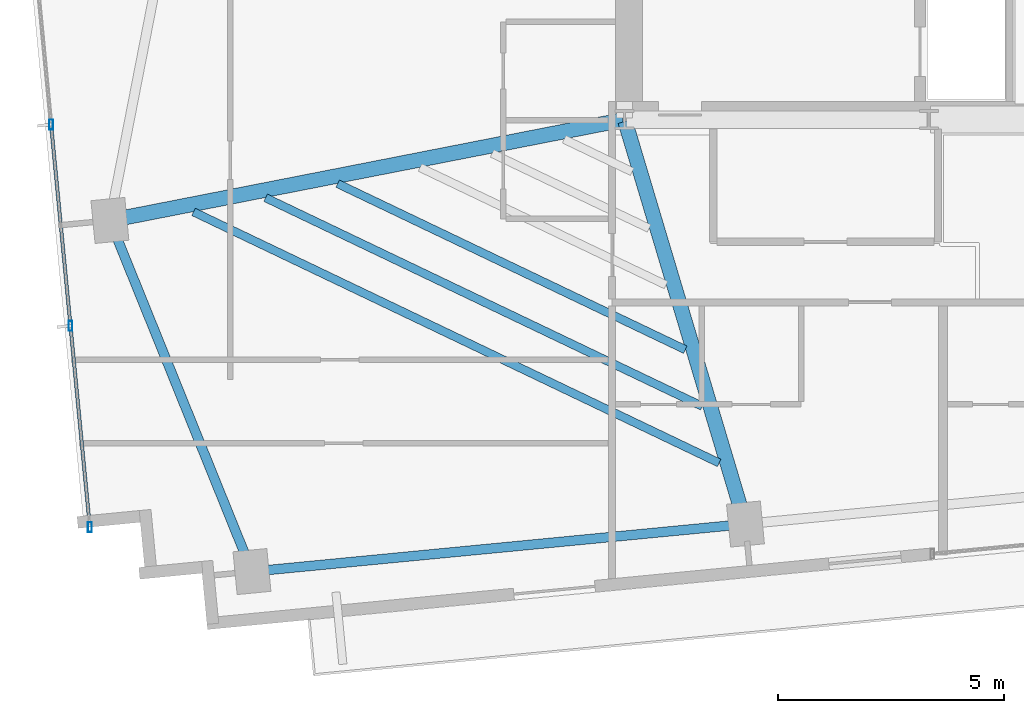
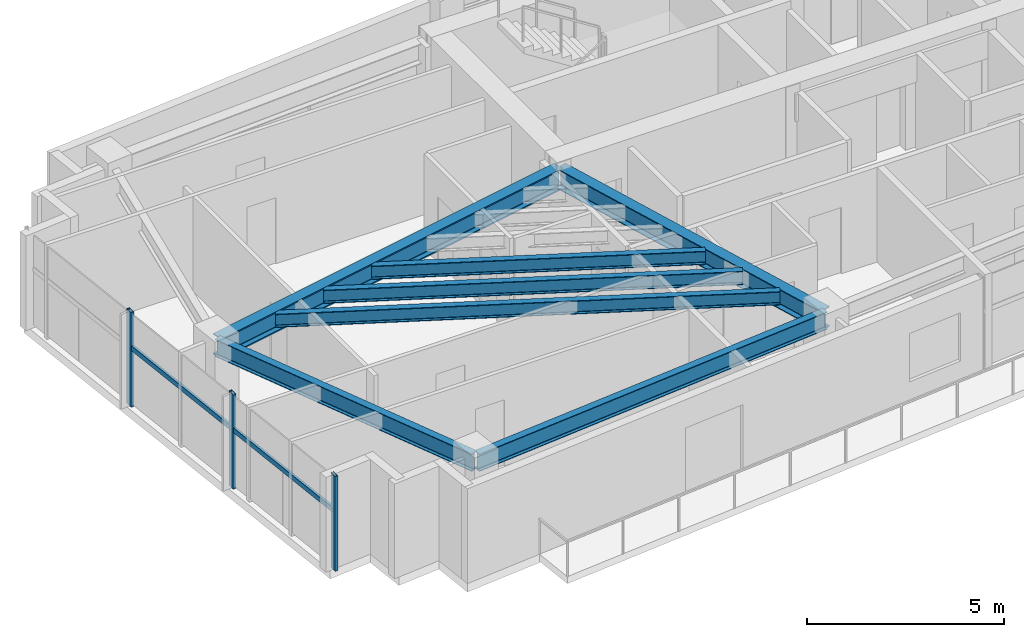
# One storey, part 2 of 18: 7 beams, 5 members, 1 element without a shape of its own.
"""IFC4 building model written with IfcOpenShell, lengths in metres."""

import ifcopenshell
import ifcopenshell.guid

model = None  # the IFC model being written
_history = None  # IfcOwnerHistory: only IFC2X3 demands one
_inside = {}  # id of a spatial element -> (the spatial element, [elements in it])
_under = {}  # id of a project, library or spatial element -> (it, [spatial elements below it])
_declared = {}  # id of a project -> (the project, [libraries it declares])
_typed = {}  # id of a type object -> (the type object, [elements of that type])
_made_of = {}  # id of a material, layer set ... -> (it, [elements and type objects made of it])


def new_model(schema):
    """Start an empty IFC model of exactly this schema.

    Asked for "IFC4X3", IfcOpenShell would pick the latest addendum, in which some entities
    have other attributes; the version numbers below select the first issue.
    IFC2X3 requires an IfcOwnerHistory on every rooted entity: one is made here for all.
    """
    global model, _history
    if schema == "IFC4X3":
        model = ifcopenshell.file(schema_version=(4, 3, 0, 0))
    else:
        model = ifcopenshell.file(schema=schema)
    _inside.clear()
    _under.clear()
    _declared.clear()
    _typed.clear()
    _made_of.clear()
    _history = None
    if model.schema == "IFC2X3":
        org = make("IfcOrganization", Name="unknown")
        user = make(
            "IfcPersonAndOrganization",
            ThePerson=make("IfcPerson", FamilyName="unknown"),
            TheOrganization=org,
        )
        app = make(
            "IfcApplication",
            ApplicationDeveloper=org,
            Version="unknown",
            ApplicationFullName="unknown",
            ApplicationIdentifier="unknown",
        )
        _history = make(
            "IfcOwnerHistory",
            OwningUser=user,
            OwningApplication=app,
            ChangeAction="ADDED",
            CreationDate=0,
        )
    return model


def make(cls, **values):
    """One entity of the class cls with the attributes given. An attribute that is None is left unset."""
    return model.create_entity(
        cls, **{name: value for name, value in values.items() if value is not None}
    )


def rooted(cls, **values):
    """An entity with a GlobalId (a new one), such as an element, a storey or a relation."""
    return make(cls, GlobalId=ifcopenshell.guid.new(), OwnerHistory=_history, **values)


def si_unit(unit_type, name, prefix=None):
    """IfcSIUnit, for example si_unit("LENGTHUNIT", "METRE", prefix="MILLI")."""
    return make("IfcSIUnit", UnitType=unit_type, Prefix=prefix, Name=name)


def assignment(units):
    """IfcUnitAssignment: the units of a project."""
    return None if units is None else make("IfcUnitAssignment", Units=units)


def point(xyz):
    """IfcCartesianPoint."""
    return None if xyz is None else make("IfcCartesianPoint", Coordinates=xyz)


def direction(xyz):
    """IfcDirection."""
    return None if xyz is None else make("IfcDirection", DirectionRatios=xyz)


def frame(location, z_axis=None, x_axis=None):
    """IfcAxis2Placement3D, a coordinate frame: its origin and axes. An axis left out is left unset."""
    return make(
        "IfcAxis2Placement3D",
        Location=point(location),
        Axis=direction(z_axis),
        RefDirection=direction(x_axis),
    )


def frame_2d(location, x_axis=None):
    """IfcAxis2Placement2D, a coordinate frame in the plane: its origin and x axis."""
    return make(
        "IfcAxis2Placement2D", Location=point(location), RefDirection=direction(x_axis)
    )


def origin():
    """The frame at (0, 0, 0) with its axes left unset."""
    return frame((0.0, 0.0, 0.0))


def origin_2d():
    """The frame at (0, 0) in the plane with its x axis left unset."""
    return frame_2d((0.0, 0.0))


def place(relative_to, where):
    """IfcLocalPlacement: puts the frame where relative to a parent placement (None: the world)."""
    return make(
        "IfcLocalPlacement", PlacementRelTo=relative_to, RelativePlacement=where
    )


def context(
    kind, dimensions, precision=None, world=None, true_north=None, identifier=None
):
    """IfcGeometricRepresentationContext, for example the 3D "Model" context."""
    return make(
        "IfcGeometricRepresentationContext",
        ContextIdentifier=identifier,
        ContextType=kind,
        CoordinateSpaceDimension=dimensions,
        Precision=precision,
        WorldCoordinateSystem=world,
        TrueNorth=true_north,
    )


def subcontext(parent, identifier, kind, view, scale=None):
    """IfcGeometricRepresentationSubContext, for example "Body" below "Model"."""
    return make(
        "IfcGeometricRepresentationSubContext",
        ContextIdentifier=identifier,
        ContextType=kind,
        ParentContext=parent,
        TargetScale=scale,
        TargetView=view,
    )


def project(units=None, contexts=None):
    """IfcProject with its units and contexts."""
    return rooted(
        "IfcProject",
        Name="project",
        RepresentationContexts=contexts,
        UnitsInContext=assignment(units),
    )


def spatial(cls, under=None, at=None, **own):
    """A site, building, storey or space (cls), placed at a placement, below another one or the project."""
    s = rooted(cls, ObjectPlacement=at, **own)
    if under is not None:
        _under.setdefault(under.id(), (under, []))[1].append(s)
    return s


def profile(cls, at=None, kind="AREA", **sizes):
    """A parametric profile (cls). Its sizes go by their IFC names, for example OverallWidth=200.0."""
    return make(cls, ProfileType=kind, Position=at, **sizes)


def hollow_rectangle(**sizes):
    """IfcRectangleHollowProfileDef."""
    return profile("IfcRectangleHollowProfileDef", **sizes)


def i_section(**sizes):
    """IfcIShapeProfileDef."""
    return profile("IfcIShapeProfileDef", **sizes)


def extrude(swept, where, along, depth):
    """IfcExtrudedAreaSolid: the profile swept, set in the frame where, extruded along a direction by depth."""
    return make(
        "IfcExtrudedAreaSolid",
        SweptArea=swept,
        Position=where,
        ExtrudedDirection=direction(along),
        Depth=depth,
    )


def shape(context_of_items, identifier, shape_type, items):
    """IfcShapeRepresentation: the items that make up one representation, for example the "Body"."""
    return make(
        "IfcShapeRepresentation",
        ContextOfItems=context_of_items,
        RepresentationIdentifier=identifier,
        RepresentationType=shape_type,
        Items=items,
    )


def source(mapping_origin, context_of_items, identifier, shape_type, items):
    """IfcRepresentationMap: a shape defined once, which mapped items show again and again."""
    return make(
        "IfcRepresentationMap",
        MappingOrigin=mapping_origin,
        MappedRepresentation=shape(context_of_items, identifier, shape_type, items),
    )


def transform(
    local_origin,
    x_axis=None,
    y_axis=None,
    z_axis=None,
    scale=None,
    scale2=None,
    scale3=None,
    uniform=True,
):
    """IfcCartesianTransformationOperator3D, or its non-uniform kind. x_axis, y_axis, z_axis: its Axis1, 2, 3."""
    if uniform:
        return make(
            "IfcCartesianTransformationOperator3D",
            Axis1=direction(x_axis),
            Axis2=direction(y_axis),
            LocalOrigin=point(local_origin),
            Scale=scale,
            Axis3=direction(z_axis),
        )
    return make(
        "IfcCartesianTransformationOperator3DnonUniform",
        Axis1=direction(x_axis),
        Axis2=direction(y_axis),
        LocalOrigin=point(local_origin),
        Scale=scale,
        Axis3=direction(z_axis),
        Scale2=scale2,
        Scale3=scale3,
    )


def mapped(mapping_source, mapping_target):
    """IfcMappedItem: shows the shape of a source again, moved by a transform."""
    return make(
        "IfcMappedItem", MappingSource=mapping_source, MappingTarget=mapping_target
    )


def material(Name=None, Category=None):
    """IfcMaterial."""
    return make("IfcMaterial", Name=Name, Category=Category)


def material_profile(
    of_material, cross_section, Name=None, Category=None, Priority=None
):
    """IfcMaterialProfile: a cross section and its material."""
    return make(
        "IfcMaterialProfile",
        Name=Name,
        Material=of_material,
        Profile=cross_section,
        Priority=Priority,
        Category=Category,
    )


def profile_set(profiles, Name=None, composite=None):
    """IfcMaterialProfileSet."""
    return make(
        "IfcMaterialProfileSet",
        Name=Name,
        MaterialProfiles=profiles,
        CompositeProfile=composite,
    )


def made_of(thing, what):
    """Note that an element or type object is made of a material, layer set ...; save() writes the relation."""
    if what is not None:
        _made_of.setdefault(what.id(), (what, []))[1].append(thing)
    return thing


def type_object(cls, material=None, **own):
    """A type object (cls), such as IfcWallType, which elements share."""
    return made_of(rooted(cls, **own), material)


def type_shapes(of_type, sources):
    """Give a type object the sources (RepresentationMaps) that its elements show as mapped items."""
    of_type.RepresentationMaps = sources


def element(
    cls,
    number,
    at=None,
    inside=None,
    cuts=None,
    type_object=None,
    material=None,
    context=None,
    identifier="Body",
    shape_type=None,
    held_by="IfcProductDefinitionShape",
    body=None,
    shapes=None,
    **own,
):
    """One element of the class cls, such as IfcWall. Its Tag is "e" and its number.

    at: its placement. inside: the storey or other place that contains it. cuts: it is an
    opening in that element (IfcRelVoidsElement). A single representation is given by context,
    identifier, shape_type and body (its items); several are given by shapes. held_by: the class
    of the entity that holds the representations. save() writes the other relations.
    """
    e = rooted(cls, Tag="e%d" % number, ObjectPlacement=at, **own)
    if body is not None:
        shapes = [shape(context, identifier, shape_type, body)]
    if shapes is not None:
        e.Representation = make(held_by, Representations=shapes)
    if inside is not None:
        _inside.setdefault(inside.id(), (inside, []))[1].append(e)
    if cuts is not None:
        rooted(
            "IfcRelVoidsElement", RelatingBuildingElement=cuts, RelatedOpeningElement=e
        )
    if type_object is not None:
        _typed.setdefault(type_object.id(), (type_object, []))[1].append(e)
    return made_of(e, material)


def aggregate(whole, parts):
    """IfcRelAggregates: a whole, such as a stair, and the parts it consists of."""
    return rooted("IfcRelAggregates", RelatingObject=whole, RelatedObjects=parts)


def save(model, path):
    """Write the relations noted so far, then the file.

    IfcRelAggregates (storeys below a building ...), IfcRelContainedInSpatialStructure (elements
    in a storey), IfcRelDefinesByType, IfcRelAssociatesMaterial and IfcRelDeclares: one each for
    every whole, place, type object, material and project.
    """
    for whole, parts in _under.values():
        aggregate(whole, parts)
    for where, things in _inside.values():
        rooted(
            "IfcRelContainedInSpatialStructure",
            RelatedElements=things,
            RelatingStructure=where,
        )
    for kind, things in _typed.values():
        rooted("IfcRelDefinesByType", RelatedObjects=things, RelatingType=kind)
    for what, things in _made_of.values():
        rooted("IfcRelAssociatesMaterial", RelatedObjects=things, RelatingMaterial=what)
    for by, libraries in _declared.values():
        rooted("IfcRelDeclares", RelatingContext=by, RelatedDefinitions=libraries)
    model.write(path)


model = new_model("IFC4")

# Units and contexts
model_context = context("Model", 3, precision=1e-05, world=origin(), true_north=direction((0.0, 1.0)))
body_context = subcontext(model_context, "Body", "Model", "MODEL_VIEW")
ifc_project = project(units=[si_unit("LENGTHUNIT", "METRE"), si_unit("AREAUNIT", "SQUARE_METRE"), si_unit("VOLUMEUNIT", "CUBIC_METRE"), si_unit("PLANEANGLEUNIT", "RADIAN"), si_unit("MASSUNIT", "GRAM", prefix="KILO")], contexts=[model_context])

# Site, building, storey
site_placement = place(None, origin())
site = spatial("IfcSite", under=ifc_project, at=site_placement, CompositionType="ELEMENT")
building_placement = place(site_placement, origin())
building = spatial("IfcBuilding", under=site, at=building_placement, Name="Astriad Promenade Condominiums", CompositionType="ELEMENT")
storey_placement = place(building_placement, frame((0.0, 0.0, 198.60009765625)))
storey = spatial("IfcBuildingStorey", under=building, at=storey_placement, Name="L57", CompositionType="ELEMENT", Elevation=198.60009765625)

# Beams
ifc_material_1 = material(Name="Steel ASTM A992 Grade 50", Category="steel")
ifc_material_profile_1 = material_profile(ifc_material_1, i_section(OverallWidth=0.210693359375, OverallDepth=0.53955078125, WebThickness=0.01171875, FlangeThickness=0.018798828125, FilletRadius=0.0166015625, at=origin_2d()), Name="W21X73")
ifc_profile_set_1 = profile_set([ifc_material_profile_1], Name="Steel ASTM A992 Grade 50")
beam_type_1 = type_object("IfcBeamType", Name="STEEL SPANDREL BEAM W21X73", PredefinedType="SPANDREL", material=ifc_profile_set_1)
shared_shape_1 = source(origin(), body_context, "Body", "SweptSolid", [
    extrude(i_section(OverallWidth=0.210693359375, OverallDepth=0.53955078125, WebThickness=0.01171875, FlangeThickness=0.018798828125, FilletRadius=0.0166015625, at=origin_2d()), origin(), (0.0, 0.0, 1.0), 10.8701171875),
])
beam_1_placement = place(storey_placement, frame((18.209228515625, 7.421630859375, 2.670166015625), z_axis=(0.995394986184, 0.09585834069, 0.0), x_axis=(-0.09585834069, 0.995394986184, 0.0)))
element("IfcBeam", 1, at=beam_1_placement, inside=storey, type_object=beam_type_1, Name="Perimeter Spandrel Beam SP-S1-L57", PredefinedType="SPANDREL", context=body_context, shape_type="MappedRepresentation", body=[
    mapped(shared_shape_1, transform((0.0, 0.0, 0.0), scale=1.0)),
])
shared_shape_2 = source(origin(), body_context, "Body", "SweptSolid", [
    extrude(i_section(OverallWidth=0.210693359375, OverallDepth=0.53955078125, WebThickness=0.01171875, FlangeThickness=0.018798828125, FilletRadius=0.0166015625, at=origin_2d()), origin(), (0.0, 0.0, 1.0), 8.28564453125),
])
type_shapes(beam_type_1, [shared_shape_1, shared_shape_2])
beam_2_placement = place(storey_placement, frame((15.046875, 15.1357421875, 2.670166015625), z_axis=(0.375070987134, -0.926996092014, 0.0), x_axis=(0.926996092014, 0.375070987134, 0.0)))
element("IfcBeam", 2, at=beam_2_placement, inside=storey, type_object=beam_type_1, Name="Perimeter Spandrel Beam SP-W1-L57", PredefinedType="SPANDREL", context=body_context, shape_type="MappedRepresentation", body=[
    mapped(shared_shape_2, transform((0.0, 0.0, 0.0), scale=1.0)),
])
ifc_material_profile_2 = material_profile(ifc_material_1, i_section(OverallWidth=0.327392578125, OverallDepth=0.640625, WebThickness=0.01904296875, FlangeThickness=0.033935546875, FilletRadius=0.017822265625, at=origin_2d()), Name="W24X176")
ifc_profile_set_2 = profile_set([ifc_material_profile_2], Name="Steel ASTM A992 Grade 50")
beam_type_2 = type_object("IfcBeamType", Name="STEEL FLOOR GIRDER W24X176", PredefinedType="BEAM", material=ifc_profile_set_2)
shared_shape_3 = source(origin(), body_context, "Body", "SweptSolid", [
    extrude(i_section(OverallWidth=0.327392578125, OverallDepth=0.640625, WebThickness=0.01904296875, FlangeThickness=0.033935546875, FilletRadius=0.017822265625, at=origin_2d()), origin(), (0.0, 0.0, 1.0), 11.504150390625),
])
type_shapes(beam_type_2, [shared_shape_3])
beam_3_placement = place(storey_placement, frame((15.071044921875, 15.1806640625, 2.61962890625), z_axis=(0.981346028441, 0.192249765833, 0.0), x_axis=(-0.192249765833, 0.981346028441, 0.0)))
element("IfcBeam", 3, at=beam_3_placement, inside=storey, type_object=beam_type_2, Name="Primary Floor Girder PG-WM-L57", PredefinedType="BEAM", context=body_context, shape_type="MappedRepresentation", body=[
    mapped(shared_shape_3, transform((0.0, 0.0, 0.0), scale=1.0)),
])
ifc_material_profile_3 = material_profile(ifc_material_1, i_section(OverallWidth=0.326416015625, OverallDepth=0.621826171875, WebThickness=0.015380859375, FlangeThickness=0.0244140625, FilletRadius=0.017822265625, at=origin_2d()), Name="W24X131")
ifc_profile_set_3 = profile_set([ifc_material_profile_3], Name="Steel ASTM A992 Grade 50")
beam_type_3 = type_object("IfcBeamType", Name="STEEL FLOOR GIRDER W24X131", PredefinedType="BEAM", material=ifc_profile_set_3)
shared_shape_4 = source(origin(), body_context, "Body", "SweptSolid", [
    extrude(i_section(OverallWidth=0.326416015625, OverallDepth=0.621826171875, WebThickness=0.015380859375, FlangeThickness=0.0244140625, FilletRadius=0.017822265625, at=origin_2d()), origin(), (0.0, 0.0, 1.0), 9.242919921875),
])
type_shapes(beam_type_3, [shared_shape_4])
beam_4_placement = place(storey_placement, frame((29.0576171875, 8.505615234375, 2.62890625), z_axis=(-0.286269354745, 0.958149182818, 0.0), x_axis=(-0.958149182818, -0.286269354745, 0.0)))
element("IfcBeam", 4, at=beam_4_placement, inside=storey, type_object=beam_type_3, Name="Primary Floor Girder PG-W2-L57", PredefinedType="BEAM", context=body_context, shape_type="MappedRepresentation", body=[
    mapped(shared_shape_4, transform((0.0, 0.0, 0.0), scale=1.0)),
])
ifc_material_profile_4 = material_profile(ifc_material_1, i_section(OverallWidth=0.180908203125, OverallDepth=0.417236328125, WebThickness=0.010986328125, FlangeThickness=0.018310546875, FilletRadius=0.013916015625, at=origin_2d()), Name="W16X57")
ifc_profile_set_4 = profile_set([ifc_material_profile_4], Name="Steel ASTM A992 Grade 50")
beam_type_4 = type_object("IfcBeamType", Name="STEEL FLOOR JOIST W16X57", PredefinedType="JOIST", material=ifc_profile_set_4)
shared_shape_5 = source(origin(), body_context, "Body", "SweptSolid", [
    extrude(i_section(OverallWidth=0.180908203125, OverallDepth=0.417236328125, WebThickness=0.010986328125, FlangeThickness=0.018310546875, FilletRadius=0.013916015625, at=origin_2d()), origin(), (0.0, 0.0, 1.0), 12.864013671875),
])
beam_5_placement = place(storey_placement, frame((16.8798828125, 15.362060546875, 2.731201171875), z_axis=(0.902332932985, -0.431039763886, 0.0), x_axis=(0.431039763886, 0.902332932985, 0.0)))
element("IfcBeam", 5, at=beam_5_placement, inside=storey, type_object=beam_type_4, Name="Secondary Composite Floor Joist JW1-1-L57", PredefinedType="JOIST", context=body_context, shape_type="MappedRepresentation", body=[
    mapped(shared_shape_5, transform((0.0, 0.0, 0.0), scale=1.0)),
])
shared_shape_6 = source(origin(), body_context, "Body", "SweptSolid", [
    extrude(i_section(OverallWidth=0.180908203125, OverallDepth=0.417236328125, WebThickness=0.010986328125, FlangeThickness=0.018310546875, FilletRadius=0.013916015625, at=origin_2d()), origin(), (0.0, 0.0, 1.0), 10.686279296875),
])
beam_6_placement = place(storey_placement, frame((18.471435546875, 15.673828125, 2.731201171875), z_axis=(0.902342124644, -0.431020521661, 0.0), x_axis=(0.431020521661, 0.902342124644, 0.0)))
element("IfcBeam", 6, at=beam_6_placement, inside=storey, type_object=beam_type_4, Name="Secondary Composite Floor Joist JW1-2-L57", PredefinedType="JOIST", context=body_context, shape_type="MappedRepresentation", body=[
    mapped(shared_shape_6, transform((0.0, 0.0, 0.0), scale=1.0)),
])
shared_shape_7 = source(origin(), body_context, "Body", "SweptSolid", [
    extrude(i_section(OverallWidth=0.180908203125, OverallDepth=0.417236328125, WebThickness=0.010986328125, FlangeThickness=0.018310546875, FilletRadius=0.013916015625, at=origin_2d()), origin(), (0.0, 0.0, 1.0), 8.508056640625),
])
type_shapes(beam_type_4, [shared_shape_5, shared_shape_6, shared_shape_7])
beam_7_placement = place(storey_placement, frame((20.06298828125, 15.985595703125, 2.731201171875), z_axis=(0.902339530667, -0.431025952113, 0.0), x_axis=(0.431025952113, 0.902339530667, 0.0)))
element("IfcBeam", 7, at=beam_7_placement, inside=storey, type_object=beam_type_4, Name="Secondary Composite Floor Joist JW1-3-L57", PredefinedType="JOIST", context=body_context, shape_type="MappedRepresentation", body=[
    mapped(shared_shape_7, transform((0.0, 0.0, 0.0), scale=1.0)),
])

# Curtain wall, members
ifc_material_2 = material(Name="Anodised aluminium Black Dark Glass Unitised", Category="aluminium")
curtain_wall_type = type_object("IfcCurtainWallType", Name="CW-B34-DARK", PredefinedType="USERDEFINED", material=ifc_material_2)
curtain_wall_placement = place(storey_placement, origin())
curtain_wall = element("IfcCurtainWall", 8, at=curtain_wall_placement, inside=storey, type_object=curtain_wall_type, Name="CW-L57-W", ObjectType="UNITISED_CURTAIN_WALL", PredefinedType="USERDEFINED")
ifc_material_3 = material(Name="Anodised aluminium 6063-T6 Black", Category="aluminium")
ifc_material_profile_5 = material_profile(ifc_material_3, hollow_rectangle(XDim=0.0849609375, YDim=0.219970703125, WallThickness=0.0048828125, at=origin_2d()), Name="ALU-MUL-85X220")
ifc_profile_set_5 = profile_set([ifc_material_profile_5], Name="Anodised aluminium 6063-T6 Black")
member_type_1 = type_object("IfcMemberType", Name="MUL-ALU-MUL-85X220", PredefinedType="MULLION", material=ifc_profile_set_5)
shared_shape_8 = source(origin(), body_context, "Body", "SweptSolid", [
    extrude(hollow_rectangle(XDim=0.0849609375, YDim=0.219970703125, WallThickness=0.0048828125, at=origin_2d()), origin(), (0.0, 0.0, 1.0), 2.93994140625),
])
type_shapes(member_type_1, [shared_shape_8])
member_1_placement = place(storey_placement, frame((14.589111328125, 8.3994140625, 0.0), z_axis=(0.0, 0.0, 1.0), x_axis=(1.0, 0.0, 0.0)))
member_1 = element("IfcMember", 9, at=member_1_placement, type_object=member_type_1, Name="CW-L57-W-MUL-00", PredefinedType="MULLION", context=body_context, shape_type="MappedRepresentation", body=[
    mapped(shared_shape_8, transform((0.0, 0.0, 0.0), scale=1.0)),
])
member_2_placement = place(storey_placement, frame((14.160888671875, 12.845458984375, 0.0), z_axis=(0.0, 0.0, 1.0), x_axis=(1.0, 0.0, 0.0)))
member_2 = element("IfcMember", 10, at=member_2_placement, type_object=member_type_1, Name="CW-L57-W-MUL-01", PredefinedType="MULLION", context=body_context, shape_type="MappedRepresentation", body=[
    mapped(shared_shape_8, transform((0.0, 0.0, 0.0), scale=1.0)),
])
member_3_placement = place(storey_placement, frame((13.732666015625, 17.29150390625, 0.0), z_axis=(0.0, 0.0, 1.0), x_axis=(1.0, 0.0, 0.0)))
member_3 = element("IfcMember", 11, at=member_3_placement, type_object=member_type_1, Name="CW-L57-W-MUL-02", PredefinedType="MULLION", context=body_context, shape_type="MappedRepresentation", body=[
    mapped(shared_shape_8, transform((0.0, 0.0, 0.0), scale=1.0)),
])
ifc_material_profile_6 = material_profile(ifc_material_3, hollow_rectangle(XDim=0.074951171875, YDim=0.14990234375, WallThickness=0.004150390625, at=origin_2d()), Name="ALU-TRN-75X150")
ifc_profile_set_6 = profile_set([ifc_material_profile_6], Name="Anodised aluminium 6063-T6 Black")
member_type_2 = type_object("IfcMemberType", Name="TRN-ALU-TRN-75X150", PredefinedType="USERDEFINED", material=ifc_profile_set_6)
shared_shape_9 = source(origin(), body_context, "Body", "SweptSolid", [
    extrude(hollow_rectangle(XDim=0.074951171875, YDim=0.14990234375, WallThickness=0.004150390625, at=origin_2d()), origin(), (0.0, 0.0, 1.0), 4.466552734375),
])
type_shapes(member_type_2, [shared_shape_9])
member_4_placement = place(storey_placement, frame((14.589111328125, 8.3994140625, 1.82275390625), z_axis=(-0.095871755514, 0.995393694221, 0.0), x_axis=(-0.995393694221, -0.095871755514, 0.0)))
member_4 = element("IfcMember", 12, at=member_4_placement, type_object=member_type_2, Name="CW-L57-W-TRN-00-0", ObjectType="TRANSOM", PredefinedType="USERDEFINED", context=body_context, shape_type="MappedRepresentation", body=[
    mapped(shared_shape_9, transform((0.0, 0.0, 0.0), scale=1.0)),
])
member_5_placement = place(storey_placement, frame((14.160888671875, 12.845458984375, 1.82275390625), z_axis=(-0.095871755514, 0.995393694221, 0.0), x_axis=(-0.995393694221, -0.095871755514, 0.0)))
member_5 = element("IfcMember", 13, at=member_5_placement, type_object=member_type_2, Name="CW-L57-W-TRN-01-0", ObjectType="TRANSOM", PredefinedType="USERDEFINED", context=body_context, shape_type="MappedRepresentation", body=[
    mapped(shared_shape_9, transform((0.0, 0.0, 0.0), scale=1.0)),
])
aggregate(curtain_wall, [member_1, member_2, member_3, member_4, member_5])

save(model, "model.ifc")
